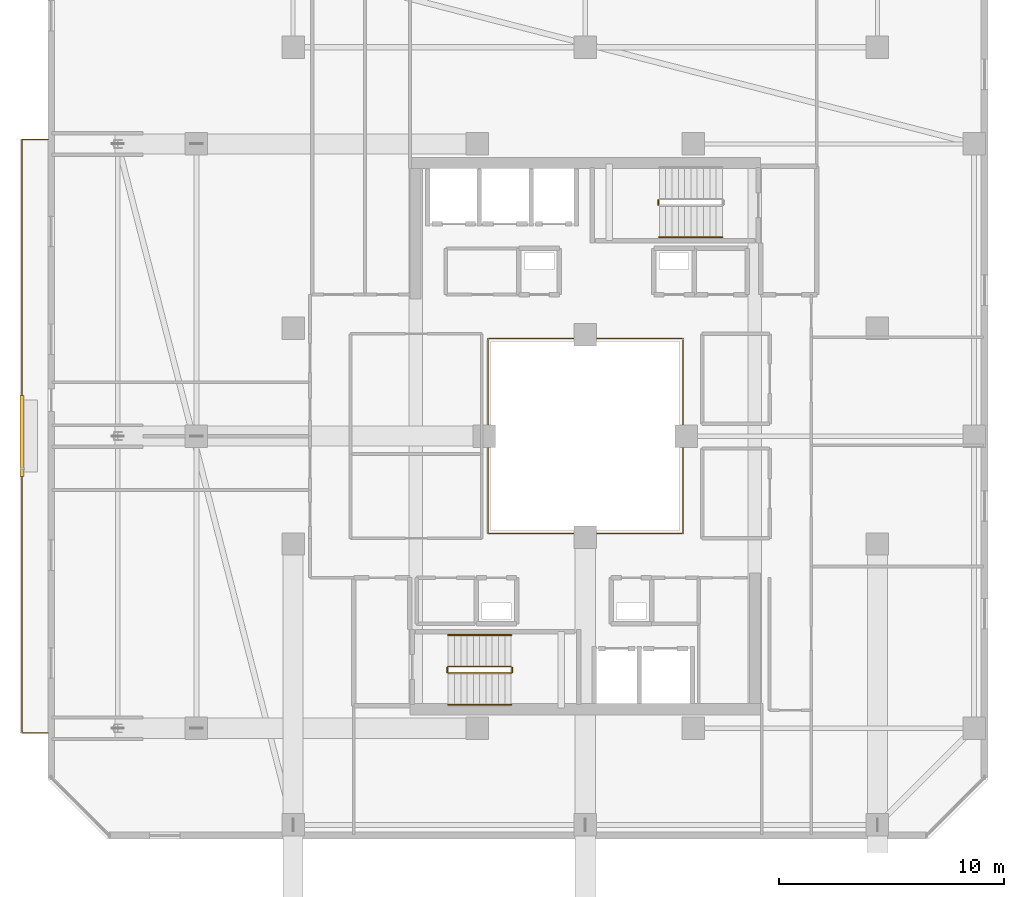
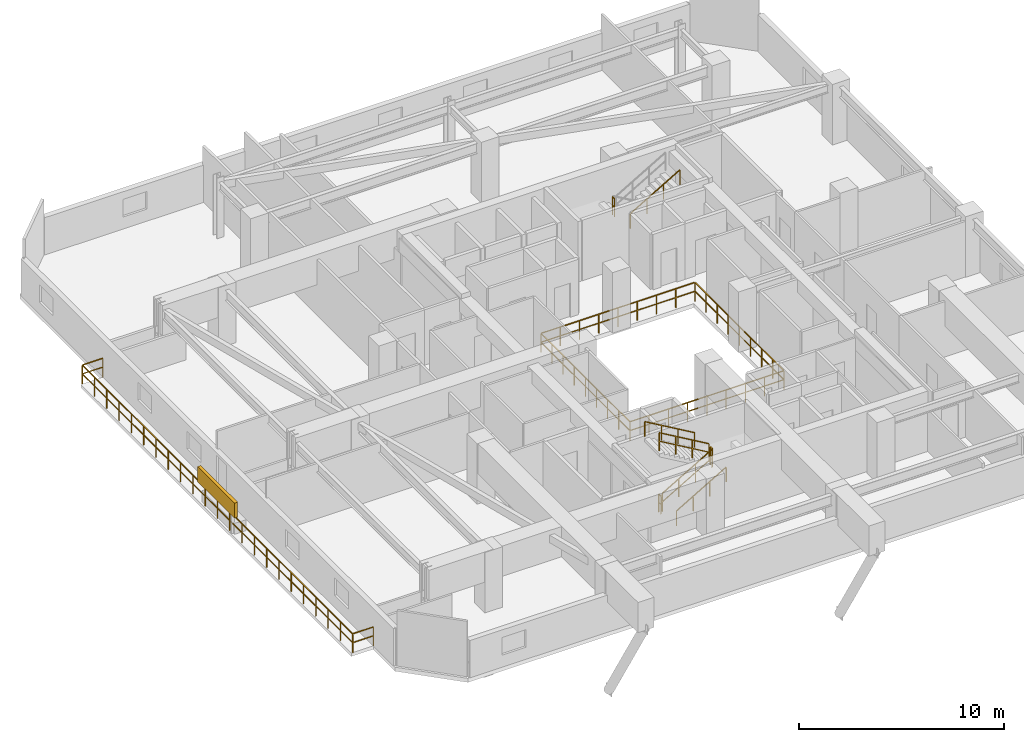
# One storey, part 32 of 35: 10 railings, 1 shading device.
"""IFC4 building model written with IfcOpenShell, lengths in metres."""

from ifc_helpers import new_model, si_unit, direction, frame, origin, origin_2d, place, context, subcontext, project, spatial, rectangle, extrude, material, type_object, element, save


model = new_model("IFC4")

# Units and contexts
model_context = context("Model", 3, precision=1e-05, world=origin(), true_north=direction((0.0, 1.0)))
body_context = subcontext(model_context, "Body", "Model", "MODEL_VIEW")
ifc_project = project(units=[si_unit("LENGTHUNIT", "METRE"), si_unit("AREAUNIT", "SQUARE_METRE"), si_unit("VOLUMEUNIT", "CUBIC_METRE"), si_unit("PLANEANGLEUNIT", "RADIAN"), si_unit("MASSUNIT", "GRAM", prefix="KILO")], contexts=[model_context])

# Site, building, storey
site_placement = place(None, origin())
site = spatial("IfcSite", under=ifc_project, at=site_placement, CompositionType="ELEMENT")
building_placement = place(site_placement, origin())
building = spatial("IfcBuilding", under=site, at=building_placement, Name="Thornwick Lancets Civic Towers", CompositionType="ELEMENT")
storey_placement = place(building_placement, frame((0.0, 0.0, 225.89990234375)))
storey = spatial("IfcBuildingStorey", under=building, at=storey_placement, Name="L60", CompositionType="ELEMENT", Elevation=225.89990234375)

# Railings
ifc_material_1 = material(Name="Laminated glass and bronze steel S355", Category="steel")
railing_type_1 = type_object("IfcRailingType", Name="RAIL_ATRIUM_GUARD", PredefinedType="BALUSTRADE", material=ifc_material_1)
railing_1_placement = place(storey_placement, frame((21.159912109375, 22.659912109375, 0.0)))
element("IfcRailing", 1, at=railing_1_placement, inside=storey, type_object=railing_type_1, Name="L60 Tower A Central Atrium Guard Balustrade", PredefinedType="BALUSTRADE", context=body_context, shape_type="SweptSolid", body=[
    extrude(rectangle(XDim=0.048095703125, YDim=0.048095703125, at=origin_2d()), frame((0.0, 0.0, 1.1259765625), z_axis=(1.0, 0.0, 0.0), x_axis=(0.0, 1.0, 0.0)), (0.0, 0.0, 1.0), 8.64892578125),
    extrude(rectangle(XDim=0.0419921875, YDim=0.0419921875, at=origin_2d()), frame((0.03759765625, 0.0, 0.597900390625), z_axis=(1.0, 0.0, 0.0), x_axis=(0.0, 1.0, 0.0)), (0.0, 0.0, 1.0), 1.010009765625),
    extrude(rectangle(XDim=0.0419921875, YDim=0.0419921875, at=origin_2d()), frame((1.12255859375, 0.0, 0.597900390625), z_axis=(1.0, 0.0, 0.0), x_axis=(0.0, 1.0, 0.0)), (0.0, 0.0, 1.0), 1.010009765625),
    extrude(rectangle(XDim=0.0419921875, YDim=0.0419921875, at=origin_2d()), frame((2.20751953125, 0.0, 0.597900390625), z_axis=(1.0, 0.0, 0.0), x_axis=(0.0, 1.0, 0.0)), (0.0, 0.0, 1.0), 1.010009765625),
    extrude(rectangle(XDim=0.0419921875, YDim=0.0419921875, at=origin_2d()), frame((3.29248046875, 0.0, 0.597900390625), z_axis=(1.0, 0.0, 0.0), x_axis=(0.0, 1.0, 0.0)), (0.0, 0.0, 1.0), 1.010009765625),
    extrude(rectangle(XDim=0.0419921875, YDim=0.0419921875, at=origin_2d()), frame((4.377685546875, 0.0, 0.597900390625), z_axis=(1.0, 0.0, 0.0), x_axis=(0.0, 1.0, 0.0)), (0.0, 0.0, 1.0), 1.010009765625),
    extrude(rectangle(XDim=0.0419921875, YDim=0.0419921875, at=origin_2d()), frame((5.462646484375, 0.0, 0.597900390625), z_axis=(1.0, 0.0, 0.0), x_axis=(0.0, 1.0, 0.0)), (0.0, 0.0, 1.0), 1.010009765625),
    extrude(rectangle(XDim=0.0419921875, YDim=0.0419921875, at=origin_2d()), frame((6.547607421875, 0.0, 0.597900390625), z_axis=(1.0, 0.0, 0.0), x_axis=(0.0, 1.0, 0.0)), (0.0, 0.0, 1.0), 1.010009765625),
    extrude(rectangle(XDim=0.0419921875, YDim=0.0419921875, at=origin_2d()), frame((7.632568359375, 0.0, 0.597900390625), z_axis=(1.0, 0.0, 0.0), x_axis=(0.0, 1.0, 0.0)), (0.0, 0.0, 1.0), 1.010009765625),
    extrude(rectangle(XDim=0.048095703125, YDim=0.048095703125, at=origin_2d()), frame((8.68017578125, 0.03125, 1.1259765625), z_axis=(0.0, 1.0, 0.0), x_axis=(-1.0, 0.0, 0.0)), (0.0, 0.0, 1.0), 8.61767578125),
    extrude(rectangle(XDim=0.0419921875, YDim=0.0419921875, at=origin_2d()), frame((8.68017578125, 0.03759765625, 0.597900390625), z_axis=(0.0, 1.0, 0.0), x_axis=(-1.0, 0.0, 0.0)), (0.0, 0.0, 1.0), 1.010009765625),
    extrude(rectangle(XDim=0.0419921875, YDim=0.0419921875, at=origin_2d()), frame((8.68017578125, 1.12255859375, 0.597900390625), z_axis=(0.0, 1.0, 0.0), x_axis=(-1.0, 0.0, 0.0)), (0.0, 0.0, 1.0), 1.010009765625),
    extrude(rectangle(XDim=0.0419921875, YDim=0.0419921875, at=origin_2d()), frame((8.68017578125, 2.20751953125, 0.597900390625), z_axis=(0.0, 1.0, 0.0), x_axis=(-1.0, 0.0, 0.0)), (0.0, 0.0, 1.0), 1.010009765625),
    extrude(rectangle(XDim=0.0419921875, YDim=0.0419921875, at=origin_2d()), frame((8.68017578125, 3.29248046875, 0.597900390625), z_axis=(0.0, 1.0, 0.0), x_axis=(-1.0, 0.0, 0.0)), (0.0, 0.0, 1.0), 1.010009765625),
    extrude(rectangle(XDim=0.0419921875, YDim=0.0419921875, at=origin_2d()), frame((8.68017578125, 4.377685546875, 0.597900390625), z_axis=(0.0, 1.0, 0.0), x_axis=(-1.0, 0.0, 0.0)), (0.0, 0.0, 1.0), 1.010009765625),
    extrude(rectangle(XDim=0.0419921875, YDim=0.0419921875, at=origin_2d()), frame((8.68017578125, 5.462646484375, 0.597900390625), z_axis=(0.0, 1.0, 0.0), x_axis=(-1.0, 0.0, 0.0)), (0.0, 0.0, 1.0), 1.010009765625),
    extrude(rectangle(XDim=0.0419921875, YDim=0.0419921875, at=origin_2d()), frame((8.68017578125, 6.547607421875, 0.597900390625), z_axis=(0.0, 1.0, 0.0), x_axis=(-1.0, 0.0, 0.0)), (0.0, 0.0, 1.0), 1.010009765625),
    extrude(rectangle(XDim=0.0419921875, YDim=0.0419921875, at=origin_2d()), frame((8.68017578125, 7.632568359375, 0.597900390625), z_axis=(0.0, 1.0, 0.0), x_axis=(-1.0, 0.0, 0.0)), (0.0, 0.0, 1.0), 1.010009765625),
    extrude(rectangle(XDim=0.048095703125, YDim=0.048095703125, at=origin_2d()), frame((8.64892578125, 8.68017578125, 1.1259765625), z_axis=(-1.0, 0.0, 0.0), x_axis=(0.0, -1.0, 0.0)), (0.0, 0.0, 1.0), 8.61767578125),
    extrude(rectangle(XDim=0.0419921875, YDim=0.0419921875, at=origin_2d()), frame((8.642578125, 8.68017578125, 0.597900390625), z_axis=(-1.0, 0.0, 0.0), x_axis=(0.0, -1.0, 0.0)), (0.0, 0.0, 1.0), 1.010009765625),
    extrude(rectangle(XDim=0.0419921875, YDim=0.0419921875, at=origin_2d()), frame((7.5576171875, 8.68017578125, 0.597900390625), z_axis=(-1.0, 0.0, 0.0), x_axis=(0.0, -1.0, 0.0)), (0.0, 0.0, 1.0), 1.010009765625),
    extrude(rectangle(XDim=0.0419921875, YDim=0.0419921875, at=origin_2d()), frame((6.47265625, 8.68017578125, 0.597900390625), z_axis=(-1.0, 0.0, 0.0), x_axis=(0.0, -1.0, 0.0)), (0.0, 0.0, 1.0), 1.010009765625),
    extrude(rectangle(XDim=0.0419921875, YDim=0.0419921875, at=origin_2d()), frame((5.3876953125, 8.68017578125, 0.597900390625), z_axis=(-1.0, 0.0, 0.0), x_axis=(0.0, -1.0, 0.0)), (0.0, 0.0, 1.0), 1.010009765625),
    extrude(rectangle(XDim=0.0419921875, YDim=0.0419921875, at=origin_2d()), frame((4.302490234375, 8.68017578125, 0.597900390625), z_axis=(-1.0, 0.0, 0.0), x_axis=(0.0, -1.0, 0.0)), (0.0, 0.0, 1.0), 1.010009765625),
    extrude(rectangle(XDim=0.0419921875, YDim=0.0419921875, at=origin_2d()), frame((3.217529296875, 8.68017578125, 0.597900390625), z_axis=(-1.0, 0.0, 0.0), x_axis=(0.0, -1.0, 0.0)), (0.0, 0.0, 1.0), 1.010009765625),
    extrude(rectangle(XDim=0.0419921875, YDim=0.0419921875, at=origin_2d()), frame((2.132568359375, 8.68017578125, 0.597900390625), z_axis=(-1.0, 0.0, 0.0), x_axis=(0.0, -1.0, 0.0)), (0.0, 0.0, 1.0), 1.010009765625),
    extrude(rectangle(XDim=0.0419921875, YDim=0.0419921875, at=origin_2d()), frame((1.047607421875, 8.68017578125, 0.597900390625), z_axis=(-1.0, 0.0, 0.0), x_axis=(0.0, -1.0, 0.0)), (0.0, 0.0, 1.0), 1.010009765625),
    extrude(rectangle(XDim=0.048095703125, YDim=0.048095703125, at=origin_2d()), frame((0.0, 8.64892578125, 1.1259765625), z_axis=(0.0, -1.0, 0.0), x_axis=(1.0, 0.0, 0.0)), (0.0, 0.0, 1.0), 8.64892578125),
    extrude(rectangle(XDim=0.0419921875, YDim=0.0419921875, at=origin_2d()), frame((0.0, 8.642578125, 0.597900390625), z_axis=(0.0, -1.0, 0.0), x_axis=(1.0, 0.0, 0.0)), (0.0, 0.0, 1.0), 1.010009765625),
    extrude(rectangle(XDim=0.0419921875, YDim=0.0419921875, at=origin_2d()), frame((0.0, 7.5576171875, 0.597900390625), z_axis=(0.0, -1.0, 0.0), x_axis=(1.0, 0.0, 0.0)), (0.0, 0.0, 1.0), 1.010009765625),
    extrude(rectangle(XDim=0.0419921875, YDim=0.0419921875, at=origin_2d()), frame((0.0, 6.47265625, 0.597900390625), z_axis=(0.0, -1.0, 0.0), x_axis=(1.0, 0.0, 0.0)), (0.0, 0.0, 1.0), 1.010009765625),
    extrude(rectangle(XDim=0.0419921875, YDim=0.0419921875, at=origin_2d()), frame((0.0, 5.3876953125, 0.597900390625), z_axis=(0.0, -1.0, 0.0), x_axis=(1.0, 0.0, 0.0)), (0.0, 0.0, 1.0), 1.010009765625),
    extrude(rectangle(XDim=0.0419921875, YDim=0.0419921875, at=origin_2d()), frame((0.0, 4.302490234375, 0.597900390625), z_axis=(0.0, -1.0, 0.0), x_axis=(1.0, 0.0, 0.0)), (0.0, 0.0, 1.0), 1.010009765625),
    extrude(rectangle(XDim=0.0419921875, YDim=0.0419921875, at=origin_2d()), frame((0.0, 3.217529296875, 0.597900390625), z_axis=(0.0, -1.0, 0.0), x_axis=(1.0, 0.0, 0.0)), (0.0, 0.0, 1.0), 1.010009765625),
    extrude(rectangle(XDim=0.0419921875, YDim=0.0419921875, at=origin_2d()), frame((0.0, 2.132568359375, 0.597900390625), z_axis=(0.0, -1.0, 0.0), x_axis=(1.0, 0.0, 0.0)), (0.0, 0.0, 1.0), 1.010009765625),
    extrude(rectangle(XDim=0.0419921875, YDim=0.0419921875, at=origin_2d()), frame((0.0, 1.047607421875, 0.597900390625), z_axis=(0.0, -1.0, 0.0), x_axis=(1.0, 0.0, 0.0)), (0.0, 0.0, 1.0), 1.010009765625),
    extrude(rectangle(XDim=0.0419921875, YDim=0.0419921875, at=origin_2d()), origin(), (0.0, 0.0, 1.0), 1.095703125),
    extrude(rectangle(XDim=0.0419921875, YDim=0.0419921875, at=origin_2d()), frame((1.0849609375, 0.0, 0.0)), (0.0, 0.0, 1.0), 1.095703125),
    extrude(rectangle(XDim=0.0419921875, YDim=0.0419921875, at=origin_2d()), frame((2.169921875, 0.0, 0.0)), (0.0, 0.0, 1.0), 1.095703125),
    extrude(rectangle(XDim=0.0419921875, YDim=0.0419921875, at=origin_2d()), frame((3.255126953125, 0.0, 0.0)), (0.0, 0.0, 1.0), 1.095703125),
    extrude(rectangle(XDim=0.0419921875, YDim=0.0419921875, at=origin_2d()), frame((4.340087890625, 0.0, 0.0)), (0.0, 0.0, 1.0), 1.095703125),
    extrude(rectangle(XDim=0.0419921875, YDim=0.0419921875, at=origin_2d()), frame((5.425048828125, 0.0, 0.0)), (0.0, 0.0, 1.0), 1.095703125),
    extrude(rectangle(XDim=0.0419921875, YDim=0.0419921875, at=origin_2d()), frame((6.51025390625, 0.0, 0.0)), (0.0, 0.0, 1.0), 1.095703125),
    extrude(rectangle(XDim=0.0419921875, YDim=0.0419921875, at=origin_2d()), frame((7.59521484375, 0.0, 0.0)), (0.0, 0.0, 1.0), 1.095703125),
    extrude(rectangle(XDim=0.0419921875, YDim=0.0419921875, at=origin_2d()), frame((8.68017578125, 0.0, 0.0)), (0.0, 0.0, 1.0), 1.095703125),
    extrude(rectangle(XDim=0.0419921875, YDim=0.0419921875, at=origin_2d()), frame((8.68017578125, 1.0849609375, 0.0)), (0.0, 0.0, 1.0), 1.095703125),
    extrude(rectangle(XDim=0.0419921875, YDim=0.0419921875, at=origin_2d()), frame((8.68017578125, 2.169921875, 0.0)), (0.0, 0.0, 1.0), 1.095703125),
    extrude(rectangle(XDim=0.0419921875, YDim=0.0419921875, at=origin_2d()), frame((8.68017578125, 3.255126953125, 0.0)), (0.0, 0.0, 1.0), 1.095703125),
    extrude(rectangle(XDim=0.0419921875, YDim=0.0419921875, at=origin_2d()), frame((8.68017578125, 4.340087890625, 0.0)), (0.0, 0.0, 1.0), 1.095703125),
    extrude(rectangle(XDim=0.0419921875, YDim=0.0419921875, at=origin_2d()), frame((8.68017578125, 5.425048828125, 0.0)), (0.0, 0.0, 1.0), 1.095703125),
    extrude(rectangle(XDim=0.0419921875, YDim=0.0419921875, at=origin_2d()), frame((8.68017578125, 6.51025390625, 0.0)), (0.0, 0.0, 1.0), 1.095703125),
    extrude(rectangle(XDim=0.0419921875, YDim=0.0419921875, at=origin_2d()), frame((8.68017578125, 7.59521484375, 0.0)), (0.0, 0.0, 1.0), 1.095703125),
    extrude(rectangle(XDim=0.0419921875, YDim=0.0419921875, at=origin_2d()), frame((8.68017578125, 8.68017578125, 0.0)), (0.0, 0.0, 1.0), 1.095703125),
    extrude(rectangle(XDim=0.0419921875, YDim=0.0419921875, at=origin_2d()), frame((7.59521484375, 8.68017578125, 0.0)), (0.0, 0.0, 1.0), 1.095703125),
    extrude(rectangle(XDim=0.0419921875, YDim=0.0419921875, at=origin_2d()), frame((6.51025390625, 8.68017578125, 0.0)), (0.0, 0.0, 1.0), 1.095703125),
    extrude(rectangle(XDim=0.0419921875, YDim=0.0419921875, at=origin_2d()), frame((5.425048828125, 8.68017578125, 0.0)), (0.0, 0.0, 1.0), 1.095703125),
    extrude(rectangle(XDim=0.0419921875, YDim=0.0419921875, at=origin_2d()), frame((4.340087890625, 8.68017578125, 0.0)), (0.0, 0.0, 1.0), 1.095703125),
    extrude(rectangle(XDim=0.0419921875, YDim=0.0419921875, at=origin_2d()), frame((3.255126953125, 8.68017578125, 0.0)), (0.0, 0.0, 1.0), 1.095703125),
    extrude(rectangle(XDim=0.0419921875, YDim=0.0419921875, at=origin_2d()), frame((2.169921875, 8.68017578125, 0.0)), (0.0, 0.0, 1.0), 1.095703125),
    extrude(rectangle(XDim=0.0419921875, YDim=0.0419921875, at=origin_2d()), frame((1.0849609375, 8.68017578125, 0.0)), (0.0, 0.0, 1.0), 1.095703125),
    extrude(rectangle(XDim=0.0419921875, YDim=0.0419921875, at=origin_2d()), frame((0.0, 8.68017578125, 0.0)), (0.0, 0.0, 1.0), 1.095703125),
    extrude(rectangle(XDim=0.0419921875, YDim=0.0419921875, at=origin_2d()), frame((0.0, 7.59521484375, 0.0)), (0.0, 0.0, 1.0), 1.095703125),
    extrude(rectangle(XDim=0.0419921875, YDim=0.0419921875, at=origin_2d()), frame((0.0, 6.51025390625, 0.0)), (0.0, 0.0, 1.0), 1.095703125),
    extrude(rectangle(XDim=0.0419921875, YDim=0.0419921875, at=origin_2d()), frame((0.0, 5.425048828125, 0.0)), (0.0, 0.0, 1.0), 1.095703125),
    extrude(rectangle(XDim=0.0419921875, YDim=0.0419921875, at=origin_2d()), frame((0.0, 4.340087890625, 0.0)), (0.0, 0.0, 1.0), 1.095703125),
    extrude(rectangle(XDim=0.0419921875, YDim=0.0419921875, at=origin_2d()), frame((0.0, 3.255126953125, 0.0)), (0.0, 0.0, 1.0), 1.095703125),
    extrude(rectangle(XDim=0.0419921875, YDim=0.0419921875, at=origin_2d()), frame((0.0, 2.169921875, 0.0)), (0.0, 0.0, 1.0), 1.095703125),
    extrude(rectangle(XDim=0.0419921875, YDim=0.0419921875, at=origin_2d()), frame((0.0, 1.0849609375, 0.0)), (0.0, 0.0, 1.0), 1.095703125),
])
ifc_material_2 = material(Name="Brushed stainless steel S355", Category="steel")
railing_type_2 = type_object("IfcRailingType", Name="RAIL_HANDRAIL", PredefinedType="HANDRAIL", material=ifc_material_2)
railing_2_placement = place(storey_placement, frame((19.39990234375, 15.050048828125, 0.163818359375)))
element("IfcRailing", 2, at=railing_2_placement, inside=storey, type_object=railing_type_2, Name="L60 ST-A1 stair handrail 1", PredefinedType="HANDRAIL", context=body_context, shape_type="SweptSolid", body=[
    extrude(rectangle(XDim=0.048095703125, YDim=0.048095703125, at=origin_2d()), frame((0.0, 0.0, 0.8857421875), z_axis=(0.863393664356, 0.0, 0.504530851732), x_axis=(0.0, 1.0, 0.0)), (0.0, 0.0, 1.0), 3.2431640625),
    extrude(rectangle(XDim=0.0419921875, YDim=0.0419921875, at=origin_2d()), origin(), (0.0, 0.0, 1.0), 0.855712890625),
    extrude(rectangle(XDim=0.0419921875, YDim=0.0419921875, at=origin_2d()), frame((0.933349609375, 0.0, 0.54541015625)), (0.0, 0.0, 1.0), 0.855712890625),
    extrude(rectangle(XDim=0.0419921875, YDim=0.0419921875, at=origin_2d()), frame((1.86669921875, 0.0, 1.0908203125)), (0.0, 0.0, 1.0), 0.855712890625),
    extrude(rectangle(XDim=0.0419921875, YDim=0.0419921875, at=origin_2d()), frame((2.800048828125, 0.0, 1.63623046875)), (0.0, 0.0, 1.0), 0.855712890625),
])
railing_3_placement = place(storey_placement, frame((22.199951171875, 18.14990234375, 1.963623046875)))
element("IfcRailing", 3, at=railing_3_placement, inside=storey, type_object=railing_type_2, Name="L60 ST-A1 stair handrail 2", PredefinedType="HANDRAIL", context=body_context, shape_type="SweptSolid", body=[
    extrude(rectangle(XDim=0.048095703125, YDim=0.048095703125, at=origin_2d()), frame((0.0, 0.0, 0.8857421875), z_axis=(-0.863360870873, 0.0, 0.504586966384), x_axis=(0.0, -1.0, 0.0)), (0.0, 0.0, 1.0), 3.2431640625),
    extrude(rectangle(XDim=0.0419921875, YDim=0.0419921875, at=origin_2d()), origin(), (0.0, 0.0, 1.0), 0.855712890625),
    extrude(rectangle(XDim=0.0419921875, YDim=0.0419921875, at=origin_2d()), frame((-0.933349609375, 0.0, 0.54541015625)), (0.0, 0.0, 1.0), 0.855712890625),
    extrude(rectangle(XDim=0.0419921875, YDim=0.0419921875, at=origin_2d()), frame((-1.86669921875, 0.0, 1.091064453125)), (0.0, 0.0, 1.0), 0.855712890625),
    extrude(rectangle(XDim=0.0419921875, YDim=0.0419921875, at=origin_2d()), frame((-2.800048828125, 0.0, 1.636474609375)), (0.0, 0.0, 1.0), 0.855712890625),
])
railing_4_placement = place(storey_placement, frame((28.800048828125, 35.85009765625, 1.963623046875)))
element("IfcRailing", 4, at=railing_4_placement, inside=storey, type_object=railing_type_2, Name="L60 ST-A2 stair handrail 2", PredefinedType="HANDRAIL", context=body_context, shape_type="SweptSolid", body=[
    extrude(rectangle(XDim=0.048095703125, YDim=0.048095703125, at=origin_2d()), frame((0.0, 0.0, 0.8857421875), z_axis=(0.863360870873, 0.0, 0.504586966384), x_axis=(0.0, 1.0, 0.0)), (0.0, 0.0, 1.0), 3.2431640625),
    extrude(rectangle(XDim=0.0419921875, YDim=0.0419921875, at=origin_2d()), origin(), (0.0, 0.0, 1.0), 0.855712890625),
    extrude(rectangle(XDim=0.0419921875, YDim=0.0419921875, at=origin_2d()), frame((0.933349609375, 0.0, 0.54541015625)), (0.0, 0.0, 1.0), 0.855712890625),
    extrude(rectangle(XDim=0.0419921875, YDim=0.0419921875, at=origin_2d()), frame((1.86669921875, 0.0, 1.091064453125)), (0.0, 0.0, 1.0), 0.855712890625),
    extrude(rectangle(XDim=0.0419921875, YDim=0.0419921875, at=origin_2d()), frame((2.800048828125, 0.0, 1.636474609375)), (0.0, 0.0, 1.0), 0.855712890625),
])
ifc_material_3 = material(Name="Steel S355JR", Category="steel")
railing_type_3 = type_object("IfcRailingType", Name="RAIL_STAIR_GUARD", PredefinedType="GUARDRAIL", material=ifc_material_3)
railing_5_placement = place(storey_placement, frame((19.39990234375, 16.449951171875, 0.163818359375)))
element("IfcRailing", 5, at=railing_5_placement, inside=storey, type_object=railing_type_3, Name="L60 ST-A1 stair guard 1", PredefinedType="GUARDRAIL", context=body_context, shape_type="SweptSolid", body=[
    extrude(rectangle(XDim=0.048095703125, YDim=0.048095703125, at=origin_2d()), frame((0.0, 0.0, 1.076171875), z_axis=(0.863393664356, 0.0, 0.504530851732), x_axis=(0.0, 1.0, 0.0)), (0.0, 0.0, 1.0), 3.2431640625),
    extrude(rectangle(XDim=0.0419921875, YDim=0.0419921875, at=origin_2d()), frame((0.032470703125, 0.0, 0.591064453125), z_axis=(0.863393664356, 0.0, 0.504530851732), x_axis=(0.0, 1.0, 0.0)), (0.0, 0.0, 1.0), 1.006103515625),
    extrude(rectangle(XDim=0.0419921875, YDim=0.0419921875, at=origin_2d()), frame((0.9658203125, 0.0, 1.136474609375), z_axis=(0.863393664356, 0.0, 0.504530851732), x_axis=(0.0, 1.0, 0.0)), (0.0, 0.0, 1.0), 1.006103515625),
    extrude(rectangle(XDim=0.0419921875, YDim=0.0419921875, at=origin_2d()), frame((1.899169921875, 0.0, 1.681884765625), z_axis=(0.863393664356, 0.0, 0.504530851732), x_axis=(0.0, 1.0, 0.0)), (0.0, 0.0, 1.0), 1.006103515625),
    extrude(rectangle(XDim=0.0419921875, YDim=0.0419921875, at=origin_2d()), origin(), (0.0, 0.0, 1.0), 1.0458984375),
    extrude(rectangle(XDim=0.0419921875, YDim=0.0419921875, at=origin_2d()), frame((0.933349609375, 0.0, 0.54541015625)), (0.0, 0.0, 1.0), 1.0458984375),
    extrude(rectangle(XDim=0.0419921875, YDim=0.0419921875, at=origin_2d()), frame((1.86669921875, 0.0, 1.0908203125)), (0.0, 0.0, 1.0), 1.0458984375),
    extrude(rectangle(XDim=0.0419921875, YDim=0.0419921875, at=origin_2d()), frame((2.800048828125, 0.0, 1.63623046875)), (0.0, 0.0, 1.0), 1.0458984375),
])
railing_6_placement = place(storey_placement, frame((22.25, 16.5, 1.800048828125)))
element("IfcRailing", 6, at=railing_6_placement, inside=storey, type_object=railing_type_3, Name="L60 ST-A1 stair guard 2", PredefinedType="GUARDRAIL", context=body_context, shape_type="SweptSolid", body=[
    extrude(rectangle(XDim=0.048095703125, YDim=0.048095703125, at=origin_2d()), frame((0.0, 0.0, 1.076171875), z_axis=(0.0, 1.0, 0.0), x_axis=(-1.0, 0.0, 0.0)), (0.0, 0.0, 1.0), 0.199951171875),
    extrude(rectangle(XDim=0.0419921875, YDim=0.0419921875, at=origin_2d()), frame((0.0, 0.03759765625, 0.572021484375), z_axis=(0.0, 1.0, 0.0), x_axis=(-1.0, 0.0, 0.0)), (0.0, 0.0, 1.0), 0.125),
    extrude(rectangle(XDim=0.0419921875, YDim=0.0419921875, at=origin_2d()), origin(), (0.0, 0.0, 1.0), 1.0458984375),
    extrude(rectangle(XDim=0.0419921875, YDim=0.0419921875, at=origin_2d()), frame((0.0, 0.199951171875, 0.0)), (0.0, 0.0, 1.0), 1.0458984375),
])
railing_7_placement = place(storey_placement, frame((22.199951171875, 16.75, 1.963623046875)))
element("IfcRailing", 7, at=railing_7_placement, inside=storey, type_object=railing_type_3, Name="L60 ST-A1 stair guard 3", PredefinedType="GUARDRAIL", context=body_context, shape_type="SweptSolid", body=[
    extrude(rectangle(XDim=0.048095703125, YDim=0.048095703125, at=origin_2d()), frame((0.0, 0.0, 1.076171875), z_axis=(-0.863360870873, 0.0, 0.504586966384), x_axis=(0.0, -1.0, 0.0)), (0.0, 0.0, 1.0), 3.2431640625),
    extrude(rectangle(XDim=0.0419921875, YDim=0.0419921875, at=origin_2d()), frame((-0.032470703125, 0.0, 0.591064453125), z_axis=(-0.863360870873, 0.0, 0.504586966384), x_axis=(0.0, -1.0, 0.0)), (0.0, 0.0, 1.0), 1.006103515625),
    extrude(rectangle(XDim=0.0419921875, YDim=0.0419921875, at=origin_2d()), frame((-0.9658203125, 0.0, 1.136474609375), z_axis=(-0.863360870873, 0.0, 0.504586966384), x_axis=(0.0, -1.0, 0.0)), (0.0, 0.0, 1.0), 1.006103515625),
    extrude(rectangle(XDim=0.0419921875, YDim=0.0419921875, at=origin_2d()), frame((-1.899169921875, 0.0, 1.681884765625), z_axis=(-0.863360870873, 0.0, 0.504586966384), x_axis=(0.0, -1.0, 0.0)), (0.0, 0.0, 1.0), 1.006103515625),
    extrude(rectangle(XDim=0.0419921875, YDim=0.0419921875, at=origin_2d()), origin(), (0.0, 0.0, 1.0), 1.0458984375),
    extrude(rectangle(XDim=0.0419921875, YDim=0.0419921875, at=origin_2d()), frame((-0.933349609375, 0.0, 0.54541015625)), (0.0, 0.0, 1.0), 1.0458984375),
    extrude(rectangle(XDim=0.0419921875, YDim=0.0419921875, at=origin_2d()), frame((-1.86669921875, 0.0, 1.091064453125)), (0.0, 0.0, 1.0), 1.0458984375),
    extrude(rectangle(XDim=0.0419921875, YDim=0.0419921875, at=origin_2d()), frame((-2.800048828125, 0.0, 1.636474609375)), (0.0, 0.0, 1.0), 1.0458984375),
])
railing_8_placement = place(storey_placement, frame((19.35009765625, 16.5, 0.0)))
element("IfcRailing", 8, at=railing_8_placement, inside=storey, type_object=railing_type_3, Name="L60 ST-A1 stair guard 4", PredefinedType="GUARDRAIL", context=body_context, shape_type="SweptSolid", body=[
    extrude(rectangle(XDim=0.048095703125, YDim=0.048095703125, at=origin_2d()), frame((0.0, 0.0, 1.076171875), z_axis=(0.0, 1.0, 0.0), x_axis=(-1.0, 0.0, 0.0)), (0.0, 0.0, 1.0), 0.199951171875),
    extrude(rectangle(XDim=0.0419921875, YDim=0.0419921875, at=origin_2d()), frame((0.0, 0.03759765625, 0.572021484375), z_axis=(0.0, 1.0, 0.0), x_axis=(-1.0, 0.0, 0.0)), (0.0, 0.0, 1.0), 0.125),
    extrude(rectangle(XDim=0.0419921875, YDim=0.0419921875, at=origin_2d()), origin(), (0.0, 0.0, 1.0), 1.0458984375),
    extrude(rectangle(XDim=0.0419921875, YDim=0.0419921875, at=origin_2d()), frame((0.0, 0.199951171875, 0.0)), (0.0, 0.0, 1.0), 1.0458984375),
])
railing_9_placement = place(storey_placement, frame((28.75, 37.5, 1.800048828125)))
element("IfcRailing", 9, at=railing_9_placement, inside=storey, type_object=railing_type_3, Name="L60 ST-A2 stair guard 2", PredefinedType="GUARDRAIL", context=body_context, shape_type="SweptSolid", body=[
    extrude(rectangle(XDim=0.048095703125, YDim=0.048095703125, at=origin_2d()), frame((0.0, 0.0, 1.076171875), z_axis=(0.0, -1.0, 0.0), x_axis=(1.0, 0.0, 0.0)), (0.0, 0.0, 1.0), 0.199951171875),
    extrude(rectangle(XDim=0.0419921875, YDim=0.0419921875, at=origin_2d()), frame((0.0, -0.03759765625, 0.572021484375), z_axis=(0.0, -1.0, 0.0), x_axis=(1.0, 0.0, 0.0)), (0.0, 0.0, 1.0), 0.125),
    extrude(rectangle(XDim=0.0419921875, YDim=0.0419921875, at=origin_2d()), origin(), (0.0, 0.0, 1.0), 1.0458984375),
    extrude(rectangle(XDim=0.0419921875, YDim=0.0419921875, at=origin_2d()), frame((0.0, -0.199951171875, 0.0)), (0.0, 0.0, 1.0), 1.0458984375),
])
ifc_material_4 = material(Name="Terracotta-capped laminated glass balustrade S355", Category="masonry")
railing_type_4 = type_object("IfcRailingType", Name="RAIL_TERR_GUARD", PredefinedType="GUARDRAIL", material=ifc_material_4)
railing_10_placement = place(storey_placement, frame((1.60009765625, 13.800048828125, 0.0)))
element("IfcRailing", 10, at=railing_10_placement, inside=storey, type_object=railing_type_4, Name="L60 Tower A Balcony Guard W", PredefinedType="GUARDRAIL", context=body_context, shape_type="SweptSolid", body=[
    extrude(rectangle(XDim=0.048095703125, YDim=0.048095703125, at=origin_2d()), frame((0.0, 0.0, 1.1259765625), z_axis=(-1.0, 0.0, 0.0), x_axis=(0.0, -1.0, 0.0)), (0.0, 0.0, 1.0), 1.138916015625),
    extrude(rectangle(XDim=0.0419921875, YDim=0.0419921875, at=origin_2d()), frame((-0.03759765625, 0.0, 0.597900390625), z_axis=(-1.0, 0.0, 0.0), x_axis=(0.0, -1.0, 0.0)), (0.0, 0.0, 1.0), 1.09521484375),
    extrude(rectangle(XDim=0.048095703125, YDim=0.048095703125, at=origin_2d()), frame((-1.170166015625, 0.03125, 1.1259765625), z_axis=(0.0, 1.0, 0.0), x_axis=(-1.0, 0.0, 0.0)), (0.0, 0.0, 1.0), 26.33740234375),
    extrude(rectangle(XDim=0.0419921875, YDim=0.0419921875, at=origin_2d()), frame((-1.170166015625, 0.03759765625, 0.597900390625), z_axis=(0.0, 1.0, 0.0), x_axis=(-1.0, 0.0, 0.0)), (0.0, 0.0, 1.0), 1.125),
    extrude(rectangle(XDim=0.0419921875, YDim=0.0419921875, at=origin_2d()), frame((-1.170166015625, 1.237548828125, 0.597900390625), z_axis=(0.0, 1.0, 0.0), x_axis=(-1.0, 0.0, 0.0)), (0.0, 0.0, 1.0), 1.125),
    extrude(rectangle(XDim=0.0419921875, YDim=0.0419921875, at=origin_2d()), frame((-1.170166015625, 2.4375, 0.597900390625), z_axis=(0.0, 1.0, 0.0), x_axis=(-1.0, 0.0, 0.0)), (0.0, 0.0, 1.0), 1.125),
    extrude(rectangle(XDim=0.0419921875, YDim=0.0419921875, at=origin_2d()), frame((-1.170166015625, 3.637451171875, 0.597900390625), z_axis=(0.0, 1.0, 0.0), x_axis=(-1.0, 0.0, 0.0)), (0.0, 0.0, 1.0), 1.125),
    extrude(rectangle(XDim=0.0419921875, YDim=0.0419921875, at=origin_2d()), frame((-1.170166015625, 4.83740234375, 0.597900390625), z_axis=(0.0, 1.0, 0.0), x_axis=(-1.0, 0.0, 0.0)), (0.0, 0.0, 1.0), 1.125),
    extrude(rectangle(XDim=0.0419921875, YDim=0.0419921875, at=origin_2d()), frame((-1.170166015625, 6.037353515625, 0.597900390625), z_axis=(0.0, 1.0, 0.0), x_axis=(-1.0, 0.0, 0.0)), (0.0, 0.0, 1.0), 1.125),
    extrude(rectangle(XDim=0.0419921875, YDim=0.0419921875, at=origin_2d()), frame((-1.170166015625, 7.237548828125, 0.597900390625), z_axis=(0.0, 1.0, 0.0), x_axis=(-1.0, 0.0, 0.0)), (0.0, 0.0, 1.0), 1.125),
    extrude(rectangle(XDim=0.0419921875, YDim=0.0419921875, at=origin_2d()), frame((-1.170166015625, 8.4375, 0.597900390625), z_axis=(0.0, 1.0, 0.0), x_axis=(-1.0, 0.0, 0.0)), (0.0, 0.0, 1.0), 1.125),
    extrude(rectangle(XDim=0.0419921875, YDim=0.0419921875, at=origin_2d()), frame((-1.170166015625, 9.637451171875, 0.597900390625), z_axis=(0.0, 1.0, 0.0), x_axis=(-1.0, 0.0, 0.0)), (0.0, 0.0, 1.0), 1.125),
    extrude(rectangle(XDim=0.0419921875, YDim=0.0419921875, at=origin_2d()), frame((-1.170166015625, 10.83740234375, 0.597900390625), z_axis=(0.0, 1.0, 0.0), x_axis=(-1.0, 0.0, 0.0)), (0.0, 0.0, 1.0), 1.125),
    extrude(rectangle(XDim=0.0419921875, YDim=0.0419921875, at=origin_2d()), frame((-1.170166015625, 12.037353515625, 0.597900390625), z_axis=(0.0, 1.0, 0.0), x_axis=(-1.0, 0.0, 0.0)), (0.0, 0.0, 1.0), 1.125),
    extrude(rectangle(XDim=0.0419921875, YDim=0.0419921875, at=origin_2d()), frame((-1.170166015625, 13.237548828125, 0.597900390625), z_axis=(0.0, 1.0, 0.0), x_axis=(-1.0, 0.0, 0.0)), (0.0, 0.0, 1.0), 1.125),
    extrude(rectangle(XDim=0.0419921875, YDim=0.0419921875, at=origin_2d()), frame((-1.170166015625, 14.4375, 0.597900390625), z_axis=(0.0, 1.0, 0.0), x_axis=(-1.0, 0.0, 0.0)), (0.0, 0.0, 1.0), 1.125),
    extrude(rectangle(XDim=0.0419921875, YDim=0.0419921875, at=origin_2d()), frame((-1.170166015625, 15.637451171875, 0.597900390625), z_axis=(0.0, 1.0, 0.0), x_axis=(-1.0, 0.0, 0.0)), (0.0, 0.0, 1.0), 1.125),
    extrude(rectangle(XDim=0.0419921875, YDim=0.0419921875, at=origin_2d()), frame((-1.170166015625, 16.83740234375, 0.597900390625), z_axis=(0.0, 1.0, 0.0), x_axis=(-1.0, 0.0, 0.0)), (0.0, 0.0, 1.0), 1.125),
    extrude(rectangle(XDim=0.0419921875, YDim=0.0419921875, at=origin_2d()), frame((-1.170166015625, 18.037353515625, 0.597900390625), z_axis=(0.0, 1.0, 0.0), x_axis=(-1.0, 0.0, 0.0)), (0.0, 0.0, 1.0), 1.125),
    extrude(rectangle(XDim=0.0419921875, YDim=0.0419921875, at=origin_2d()), frame((-1.170166015625, 19.2373046875, 0.597900390625), z_axis=(0.0, 1.0, 0.0), x_axis=(-1.0, 0.0, 0.0)), (0.0, 0.0, 1.0), 1.125),
    extrude(rectangle(XDim=0.0419921875, YDim=0.0419921875, at=origin_2d()), frame((-1.170166015625, 20.4375, 0.597900390625), z_axis=(0.0, 1.0, 0.0), x_axis=(-1.0, 0.0, 0.0)), (0.0, 0.0, 1.0), 1.125),
    extrude(rectangle(XDim=0.0419921875, YDim=0.0419921875, at=origin_2d()), frame((-1.170166015625, 21.637451171875, 0.597900390625), z_axis=(0.0, 1.0, 0.0), x_axis=(-1.0, 0.0, 0.0)), (0.0, 0.0, 1.0), 1.125),
    extrude(rectangle(XDim=0.0419921875, YDim=0.0419921875, at=origin_2d()), frame((-1.170166015625, 22.83740234375, 0.597900390625), z_axis=(0.0, 1.0, 0.0), x_axis=(-1.0, 0.0, 0.0)), (0.0, 0.0, 1.0), 1.125),
    extrude(rectangle(XDim=0.0419921875, YDim=0.0419921875, at=origin_2d()), frame((-1.170166015625, 24.037353515625, 0.597900390625), z_axis=(0.0, 1.0, 0.0), x_axis=(-1.0, 0.0, 0.0)), (0.0, 0.0, 1.0), 1.125),
    extrude(rectangle(XDim=0.0419921875, YDim=0.0419921875, at=origin_2d()), frame((-1.170166015625, 25.2373046875, 0.597900390625), z_axis=(0.0, 1.0, 0.0), x_axis=(-1.0, 0.0, 0.0)), (0.0, 0.0, 1.0), 1.125),
    extrude(rectangle(XDim=0.048095703125, YDim=0.048095703125, at=origin_2d()), frame((-1.138916015625, 26.39990234375, 1.1259765625), z_axis=(1.0, 0.0, 0.0), x_axis=(0.0, 1.0, 0.0)), (0.0, 0.0, 1.0), 1.138916015625),
    extrude(rectangle(XDim=0.0419921875, YDim=0.0419921875, at=origin_2d()), frame((-1.132568359375, 26.39990234375, 0.597900390625), z_axis=(1.0, 0.0, 0.0), x_axis=(0.0, 1.0, 0.0)), (0.0, 0.0, 1.0), 1.09521484375),
    extrude(rectangle(XDim=0.0419921875, YDim=0.0419921875, at=origin_2d()), origin(), (0.0, 0.0, 1.0), 1.095703125),
    extrude(rectangle(XDim=0.0419921875, YDim=0.0419921875, at=origin_2d()), frame((-1.170166015625, 0.0, 0.0)), (0.0, 0.0, 1.0), 1.095703125),
    extrude(rectangle(XDim=0.0419921875, YDim=0.0419921875, at=origin_2d()), frame((-1.170166015625, 1.199951171875, 0.0)), (0.0, 0.0, 1.0), 1.095703125),
    extrude(rectangle(XDim=0.0419921875, YDim=0.0419921875, at=origin_2d()), frame((-1.170166015625, 2.39990234375, 0.0)), (0.0, 0.0, 1.0), 1.095703125),
    extrude(rectangle(XDim=0.0419921875, YDim=0.0419921875, at=origin_2d()), frame((-1.170166015625, 3.60009765625, 0.0)), (0.0, 0.0, 1.0), 1.095703125),
    extrude(rectangle(XDim=0.0419921875, YDim=0.0419921875, at=origin_2d()), frame((-1.170166015625, 4.800048828125, 0.0)), (0.0, 0.0, 1.0), 1.095703125),
    extrude(rectangle(XDim=0.0419921875, YDim=0.0419921875, at=origin_2d()), frame((-1.170166015625, 6.0, 0.0)), (0.0, 0.0, 1.0), 1.095703125),
    extrude(rectangle(XDim=0.0419921875, YDim=0.0419921875, at=origin_2d()), frame((-1.170166015625, 7.199951171875, 0.0)), (0.0, 0.0, 1.0), 1.095703125),
    extrude(rectangle(XDim=0.0419921875, YDim=0.0419921875, at=origin_2d()), frame((-1.170166015625, 8.39990234375, 0.0)), (0.0, 0.0, 1.0), 1.095703125),
    extrude(rectangle(XDim=0.0419921875, YDim=0.0419921875, at=origin_2d()), frame((-1.170166015625, 9.599853515625, 0.0)), (0.0, 0.0, 1.0), 1.095703125),
    extrude(rectangle(XDim=0.0419921875, YDim=0.0419921875, at=origin_2d()), frame((-1.170166015625, 10.800048828125, 0.0)), (0.0, 0.0, 1.0), 1.095703125),
    extrude(rectangle(XDim=0.0419921875, YDim=0.0419921875, at=origin_2d()), frame((-1.170166015625, 12.0, 0.0)), (0.0, 0.0, 1.0), 1.095703125),
    extrude(rectangle(XDim=0.0419921875, YDim=0.0419921875, at=origin_2d()), frame((-1.170166015625, 13.199951171875, 0.0)), (0.0, 0.0, 1.0), 1.095703125),
    extrude(rectangle(XDim=0.0419921875, YDim=0.0419921875, at=origin_2d()), frame((-1.170166015625, 14.39990234375, 0.0)), (0.0, 0.0, 1.0), 1.095703125),
    extrude(rectangle(XDim=0.0419921875, YDim=0.0419921875, at=origin_2d()), frame((-1.170166015625, 15.599853515625, 0.0)), (0.0, 0.0, 1.0), 1.095703125),
    extrude(rectangle(XDim=0.0419921875, YDim=0.0419921875, at=origin_2d()), frame((-1.170166015625, 16.800048828125, 0.0)), (0.0, 0.0, 1.0), 1.095703125),
    extrude(rectangle(XDim=0.0419921875, YDim=0.0419921875, at=origin_2d()), frame((-1.170166015625, 18.0, 0.0)), (0.0, 0.0, 1.0), 1.095703125),
    extrude(rectangle(XDim=0.0419921875, YDim=0.0419921875, at=origin_2d()), frame((-1.170166015625, 19.199951171875, 0.0)), (0.0, 0.0, 1.0), 1.095703125),
    extrude(rectangle(XDim=0.0419921875, YDim=0.0419921875, at=origin_2d()), frame((-1.170166015625, 20.39990234375, 0.0)), (0.0, 0.0, 1.0), 1.095703125),
    extrude(rectangle(XDim=0.0419921875, YDim=0.0419921875, at=origin_2d()), frame((-1.170166015625, 21.599853515625, 0.0)), (0.0, 0.0, 1.0), 1.095703125),
    extrude(rectangle(XDim=0.0419921875, YDim=0.0419921875, at=origin_2d()), frame((-1.170166015625, 22.7998046875, 0.0)), (0.0, 0.0, 1.0), 1.095703125),
    extrude(rectangle(XDim=0.0419921875, YDim=0.0419921875, at=origin_2d()), frame((-1.170166015625, 24.0, 0.0)), (0.0, 0.0, 1.0), 1.095703125),
    extrude(rectangle(XDim=0.0419921875, YDim=0.0419921875, at=origin_2d()), frame((-1.170166015625, 25.199951171875, 0.0)), (0.0, 0.0, 1.0), 1.095703125),
    extrude(rectangle(XDim=0.0419921875, YDim=0.0419921875, at=origin_2d()), frame((-1.170166015625, 26.39990234375, 0.0)), (0.0, 0.0, 1.0), 1.095703125),
    extrude(rectangle(XDim=0.0419921875, YDim=0.0419921875, at=origin_2d()), frame((0.0, 26.39990234375, 0.0)), (0.0, 0.0, 1.0), 1.095703125),
])

# Shading device
ifc_material_5 = material(Name="Extruded terracotta baguette solar screen", Category="masonry")
shading_device_type = type_object("IfcShadingDeviceType", Name="SHADE_BAGUETTE", PredefinedType="JALOUSIE", material=ifc_material_5)
shading_device_placement = place(storey_placement, frame((0.43994140625, 27.0, 1.1201171875), z_axis=(0.0, 0.0, 1.0), x_axis=(0.0, 1.0, 0.0)))
element("IfcShadingDevice", 11, at=shading_device_placement, inside=storey, type_object=shading_device_type, Name="L60 Tower A Terracotta Baguette Screen W", PredefinedType="JALOUSIE", context=body_context, shape_type="SweptSolid", body=[
    extrude(rectangle(XDim=3.60009765625, YDim=0.179931640625, at=origin_2d()), origin(), (0.0, 0.0, 1.0), 0.89990234375),
])

save(model, "model.ifc")
